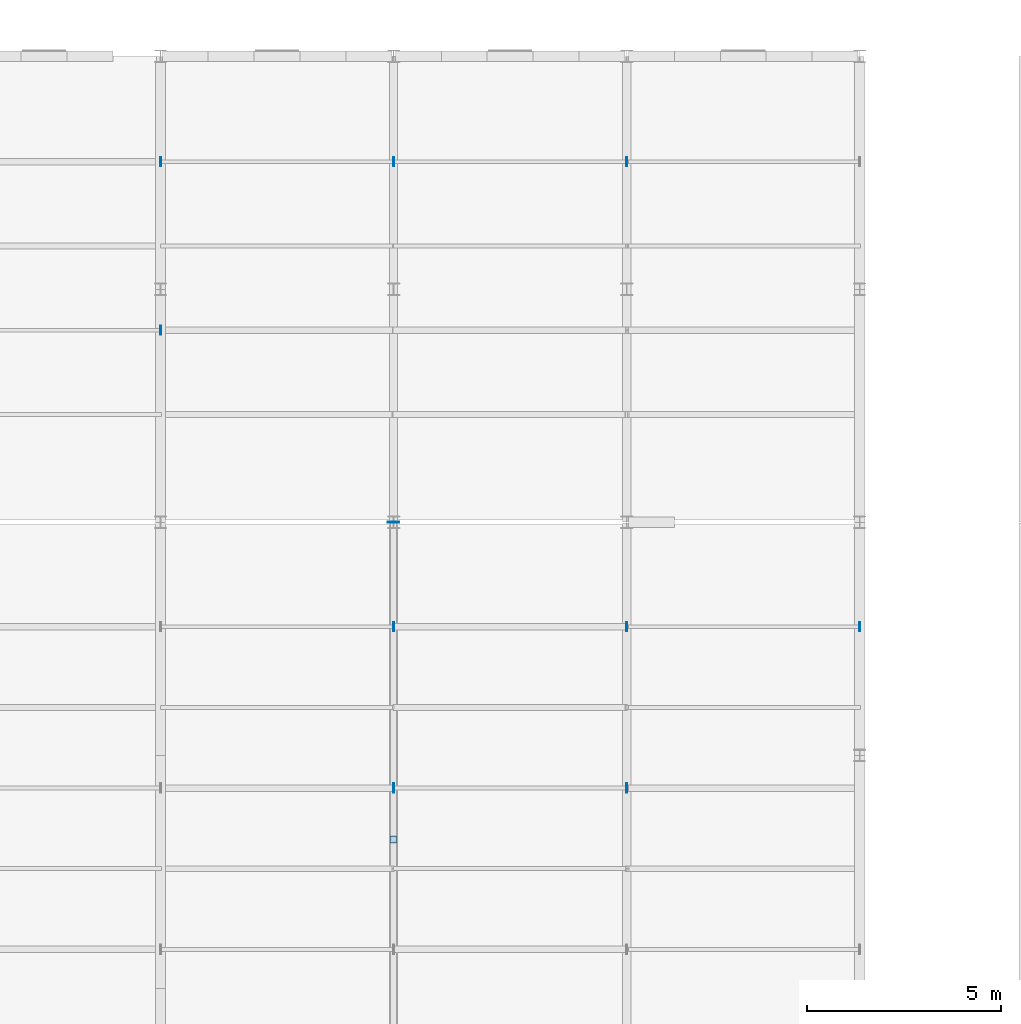
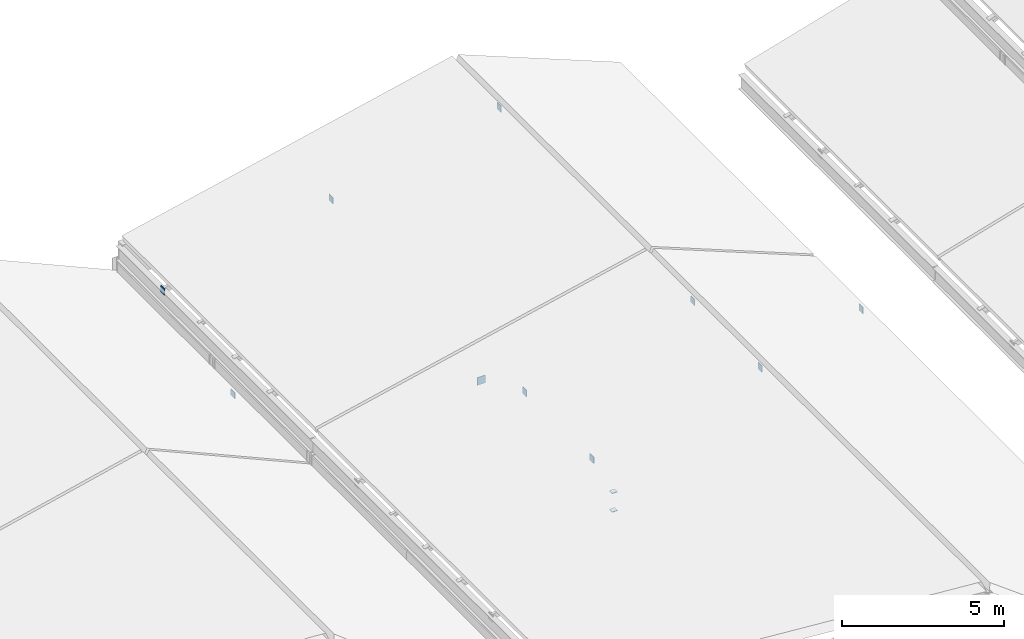
# One storey, part 46 of 74: 12 plates.
"""IFC4 building model written with IfcOpenShell, lengths in metres."""

from ifc_helpers import new_model, si_unit, direction, frame, origin, origin_2d, place, context, subcontext, project, spatial, rectangle, extrude, material, layer, layer_set, type_object, element, save


model = new_model("IFC4")

# Units and contexts
model_context = context("Model", 3, precision=1e-05, world=origin(), true_north=direction((0.0, 1.0)))
body_context = subcontext(model_context, "Body", "Model", "MODEL_VIEW")
ifc_project = project(units=[si_unit("LENGTHUNIT", "METRE"), si_unit("AREAUNIT", "SQUARE_METRE"), si_unit("VOLUMEUNIT", "CUBIC_METRE"), si_unit("PLANEANGLEUNIT", "RADIAN"), si_unit("MASSUNIT", "GRAM", prefix="KILO")], contexts=[model_context])

# Site, building, storey
site_placement = place(None, origin())
site = spatial("IfcSite", under=ifc_project, at=site_placement, CompositionType="ELEMENT")
building_placement = place(site_placement, origin())
building = spatial("IfcBuilding", under=site, at=building_placement, Name="Siltcreek Boulevard Central Fire Station", CompositionType="ELEMENT")
storey_placement = place(building_placement, frame((0.0, 0.0, 25.199951171875)))
storey = spatial("IfcBuildingStorey", under=building, at=storey_placement, Name="RF", CompositionType="ELEMENT", Elevation=25.199951171875)

# Plates
ifc_material = material(Name="Structural steel ASTM A572 Gr50", Category="steel")
ifc_layer = layer(ifc_material, 0.02490234375, Name="Structural steel ASTM A572 Gr50")
ifc_layer_set = layer_set([ifc_layer], Name="Structural steel ASTM A572 Gr50")
plate_type = type_object("IfcPlateType", Name="PL_CAP25", PredefinedType="USERDEFINED", material=ifc_layer_set)
plate_1_placement = place(storey_placement, frame((19.799560546875, 46.946044921875, -15.4443359375), z_axis=(0.0, 0.0, 1.0), x_axis=(1.0, 0.0, 0.0)))
element("IfcPlate", 1, at=plate_1_placement, inside=storey, type_object=plate_type, Name="Sloped roof purlin PR-0223 sealed end cap 2", ObjectType="END CAP", PredefinedType="USERDEFINED", context=body_context, shape_type="SweptSolid", body=[
    extrude(rectangle(XDim=0.02490234375, YDim=0.239990234375, at=origin_2d()), origin(), (0.0, 0.0, 1.0), 0.239990234375),
])
plate_2_placement = place(storey_placement, frame((25.800048828125, 42.00048828125, -14.056396484375), z_axis=(0.0, 0.0, 1.0), x_axis=(0.0, 1.0, 0.0)))
element("IfcPlate", 2, at=plate_2_placement, inside=storey, type_object=plate_type, Name="Roof truss bottom chord CH-005 sealed end cap 2", ObjectType="END CAP", PredefinedType="USERDEFINED", context=body_context, shape_type="SweptSolid", body=[
    extrude(rectangle(XDim=0.02490234375, YDim=0.2900390625, at=origin_2d()), origin(), (0.0, 0.0, 1.0), 0.2900390625),
])
for number, where, z_axis, x_axis, name in (
    (3, (25.800048828125, 33.840087890625, -13.87451171875), (0.0, 0.0, 1.0), (1.0, 0.0, 0.0), "Roof truss web strut BR-051 sealed end cap 1"),
    (4, (25.800048828125, 33.840087890625, -13.17333984375), (0.0, 0.0, 1.0), (1.0, 0.0, 0.0), "Roof truss web strut BR-051 sealed end cap 2"),
):
    element("IfcPlate", number, at=place(storey_placement, frame(where, z_axis=z_axis, x_axis=x_axis)), inside=storey, type_object=plate_type, Name=name, ObjectType="END CAP", PredefinedType="USERDEFINED", context=body_context, shape_type="SweptSolid", body=[
        extrude(rectangle(XDim=0.1796875, YDim=0.1796875, at=origin_2d()), origin(), (0.0, 0.0, 1.0), 0.02490234375),
    ])
for number, where, z_axis, x_axis, name in (
    (5, (25.80029296875, 39.313720703125, -12.8427734375), (0.0, 0.0, 1.0), (1.0, 0.0, 0.0), "Sloped roof purlin PR-0235 sealed end cap 2"),
    (6, (25.7998046875, 35.160888671875, -12.8427734375), (0.0, 0.0, 1.0), (1.0, 0.0, 0.0), "Sloped roof purlin PR-0243 sealed end cap 1"),
    (7, (31.80029296875, 35.160888671875, -11.49267578125), (0.0, 0.0, 1.0), (1.0, 0.0, 0.0), "Sloped roof purlin PR-0243 sealed end cap 2"),
    (8, (31.80029296875, 39.313720703125, -11.51123046875), (0.0, 0.0, 1.0), (1.0, 0.0, 0.0), "Sloped roof purlin PR-0255 sealed end cap 1"),
    (9, (37.7998046875, 39.313720703125, -13.91064453125), (0.0, 0.0, 1.0), (1.0, 0.0, 0.0), "Sloped roof purlin PR-0255 sealed end cap 2"),
    (10, (19.7998046875, 51.281982421875, -14.17236328125), (0.0, 0.0, 1.0), (1.0, 0.0, 0.0), "Sloped roof purlin PR-0259 sealed end cap 1"),
    (11, (25.80029296875, 51.281982421875, -12.822265625), (0.0, 0.0, 1.0), (1.0, 0.0, 0.0), "Sloped roof purlin PR-0259 sealed end cap 2"),
    (12, (31.80029296875, 51.281982421875, -11.47216796875), (0.0, 0.0, 1.0), (1.0, 0.0, 0.0), "Sloped roof purlin PR-0263 sealed end cap 2"),
):
    element("IfcPlate", number, at=place(storey_placement, frame(where, z_axis=z_axis, x_axis=x_axis)), inside=storey, type_object=plate_type, Name=name, ObjectType="END CAP", PredefinedType="USERDEFINED", context=body_context, shape_type="SweptSolid", body=[
        extrude(rectangle(XDim=0.02490234375, YDim=0.239990234375, at=origin_2d()), origin(), (0.0, 0.0, 1.0), 0.239990234375),
    ])

save(model, "model.ifc")
